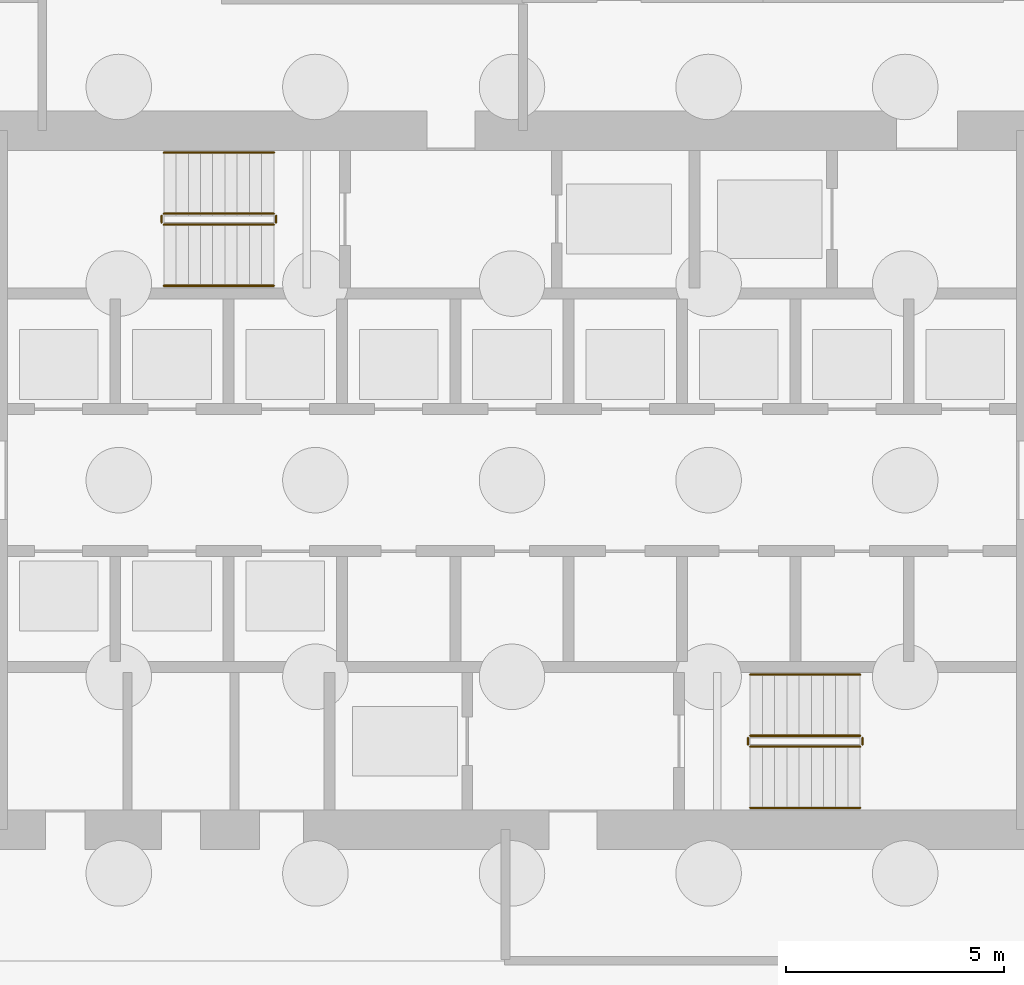
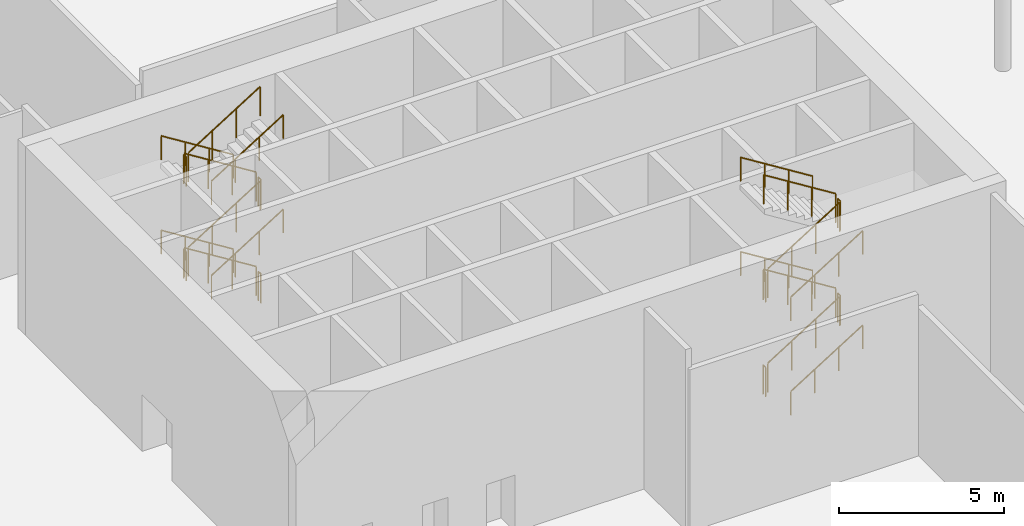
# One storey, part 40 of 41: 24 railings.
"""IFC4 building model written with IfcOpenShell, lengths in metres."""

from ifc_helpers import new_model, si_unit, direction, frame, origin, origin_2d, place, context, subcontext, project, spatial, circle, extrude, material, type_object, element, save


model = new_model("IFC4")

# Units and contexts
model_context = context("Model", 3, precision=1e-05, world=origin(), true_north=direction((0.0, 1.0)))
body_context = subcontext(model_context, "Body", "Model", "MODEL_VIEW")
ifc_project = project(units=[si_unit("LENGTHUNIT", "METRE"), si_unit("AREAUNIT", "SQUARE_METRE"), si_unit("VOLUMEUNIT", "CUBIC_METRE"), si_unit("PLANEANGLEUNIT", "RADIAN"), si_unit("MASSUNIT", "GRAM", prefix="KILO")], contexts=[model_context])

# Site, building, storey
site_placement = place(None, origin())
site = spatial("IfcSite", under=ifc_project, at=site_placement, CompositionType="ELEMENT")
building_placement = place(site_placement, origin())
building = spatial("IfcBuilding", under=site, at=building_placement, Name="Rimbun Link Towers", CompositionType="ELEMENT")
storey_placement = place(building_placement, origin())
storey = spatial("IfcBuildingStorey", under=building, at=storey_placement, Name="L00", CompositionType="ELEMENT", Elevation=0.0)

# Railings
ifc_material_1 = material(Name="Stainless steel grade 316", Category="steel")
railing_type_1 = type_object("IfcRailingType", Name="Stair guard", PredefinedType="GUARDRAIL", material=ifc_material_1)
railing_1_placement = place(storey_placement, frame((26.300048828125, 6.10009765625, 0.175048828125)))
element("IfcRailing", 1, at=railing_1_placement, inside=storey, type_object=railing_type_1, Name="L00 ST3 stair guard 1", PredefinedType="GUARDRAIL", context=body_context, shape_type="SweptSolid", body=[
    extrude(circle(Radius=0.02392578125, at=origin_2d()), frame((0.0, 0.0, 1.076171875), z_axis=(-0.848007534815, 0.0, 0.529984170421), x_axis=(0.0, -1.0, 0.0)), (0.0, 0.0, 1.0), 2.9716796875),
    extrude(circle(Radius=0.02099609375, at=origin_2d()), origin(), (0.0, 0.0, 1.0), 1.052001953125),
    extrude(circle(Radius=0.02099609375, at=origin_2d()), frame((-0.840087890625, 0.0, 0.52490234375)), (0.0, 0.0, 1.0), 1.052001953125),
    extrude(circle(Radius=0.02099609375, at=origin_2d()), frame((-1.679931640625, 0.0, 1.050048828125)), (0.0, 0.0, 1.0), 1.052001953125),
    extrude(circle(Radius=0.02099609375, at=origin_2d()), frame((-2.52001953125, 0.0, 1.574951171875)), (0.0, 0.0, 1.0), 1.052001953125),
])
railing_2_placement = place(storey_placement, frame((23.72998046875, 6.050048828125, 1.75)))
element("IfcRailing", 2, at=railing_2_placement, inside=storey, type_object=railing_type_1, Name="L00 ST3 stair guard 2", PredefinedType="GUARDRAIL", context=body_context, shape_type="SweptSolid", body=[
    extrude(circle(Radius=0.02392578125, at=origin_2d()), frame((0.0, 0.0, 1.076171875), z_axis=(0.0, -1.0, 0.0), x_axis=(1.0, 0.0, 0.0)), (0.0, 0.0, 1.0), 0.150146484375),
    extrude(circle(Radius=0.02099609375, at=origin_2d()), origin(), (0.0, 0.0, 1.0), 1.052001953125),
    extrude(circle(Radius=0.02099609375, at=origin_2d()), frame((0.0, -0.150146484375, 0.0)), (0.0, 0.0, 1.0), 1.052001953125),
])
railing_3_placement = place(storey_placement, frame((23.780029296875, 5.85009765625, 1.925048828125)))
element("IfcRailing", 3, at=railing_3_placement, inside=storey, type_object=railing_type_1, Name="L00 ST3 stair guard 3", PredefinedType="GUARDRAIL", context=body_context, shape_type="SweptSolid", body=[
    extrude(circle(Radius=0.02392578125, at=origin_2d()), frame((0.0, 0.0, 1.076171875), z_axis=(0.848007534815, 0.0, 0.529984170421), x_axis=(0.0, 1.0, 0.0)), (0.0, 0.0, 1.0), 2.9716796875),
    extrude(circle(Radius=0.02099609375, at=origin_2d()), origin(), (0.0, 0.0, 1.0), 1.052001953125),
    extrude(circle(Radius=0.02099609375, at=origin_2d()), frame((0.840087890625, 0.0, 0.52490234375)), (0.0, 0.0, 1.0), 1.052001953125),
    extrude(circle(Radius=0.02099609375, at=origin_2d()), frame((1.679931640625, 0.0, 1.050048828125)), (0.0, 0.0, 1.0), 1.052001953125),
    extrude(circle(Radius=0.02099609375, at=origin_2d()), frame((2.52001953125, 0.0, 1.574951171875)), (0.0, 0.0, 1.0), 1.052001953125),
])
railing_4_placement = place(storey_placement, frame((26.35009765625, 6.050048828125, 3.5)))
element("IfcRailing", 4, at=railing_4_placement, inside=storey, type_object=railing_type_1, Name="L00 ST3 stair guard 4", PredefinedType="GUARDRAIL", context=body_context, shape_type="SweptSolid", body=[
    extrude(circle(Radius=0.02392578125, at=origin_2d()), frame((0.0, 0.0, 1.076171875), z_axis=(0.0, -1.0, 0.0), x_axis=(1.0, 0.0, 0.0)), (0.0, 0.0, 1.0), 0.150146484375),
    extrude(circle(Radius=0.02099609375, at=origin_2d()), origin(), (0.0, 0.0, 1.0), 1.052001953125),
    extrude(circle(Radius=0.02099609375, at=origin_2d()), frame((0.0, -0.150146484375, 0.0)), (0.0, 0.0, 1.0), 1.052001953125),
])
railing_5_placement = place(storey_placement, frame((26.300048828125, 6.10009765625, 3.675048828125)))
element("IfcRailing", 5, at=railing_5_placement, inside=storey, type_object=railing_type_1, Name="L00 ST3 stair guard 5", PredefinedType="GUARDRAIL", context=body_context, shape_type="SweptSolid", body=[
    extrude(circle(Radius=0.02392578125, at=origin_2d()), frame((0.0, 0.0, 1.076171875), z_axis=(-0.848007534815, 0.0, 0.529984170421), x_axis=(0.0, -1.0, 0.0)), (0.0, 0.0, 1.0), 2.9716796875),
    extrude(circle(Radius=0.02099609375, at=origin_2d()), origin(), (0.0, 0.0, 1.0), 1.052001953125),
    extrude(circle(Radius=0.02099609375, at=origin_2d()), frame((-0.840087890625, 0.0, 0.52490234375)), (0.0, 0.0, 1.0), 1.052001953125),
    extrude(circle(Radius=0.02099609375, at=origin_2d()), frame((-1.679931640625, 0.0, 1.050048828125)), (0.0, 0.0, 1.0), 1.052001953125),
    extrude(circle(Radius=0.02099609375, at=origin_2d()), frame((-2.52001953125, 0.0, 1.574951171875)), (0.0, 0.0, 1.0), 1.052001953125),
])
railing_6_placement = place(storey_placement, frame((23.72998046875, 6.050048828125, 5.25)))
element("IfcRailing", 6, at=railing_6_placement, inside=storey, type_object=railing_type_1, Name="L00 ST3 stair guard 6", PredefinedType="GUARDRAIL", context=body_context, shape_type="SweptSolid", body=[
    extrude(circle(Radius=0.02392578125, at=origin_2d()), frame((0.0, 0.0, 1.076171875), z_axis=(0.0, -1.0, 0.0), x_axis=(1.0, 0.0, 0.0)), (0.0, 0.0, 1.0), 0.150146484375),
    extrude(circle(Radius=0.02099609375, at=origin_2d()), origin(), (0.0, 0.0, 1.0), 1.052001953125),
    extrude(circle(Radius=0.02099609375, at=origin_2d()), frame((0.0, -0.150146484375, 0.0)), (0.0, 0.0, 1.0), 1.052001953125),
])
railing_7_placement = place(storey_placement, frame((23.780029296875, 5.85009765625, 5.425048828125)))
element("IfcRailing", 7, at=railing_7_placement, inside=storey, type_object=railing_type_1, Name="L00 ST3 stair guard 7", PredefinedType="GUARDRAIL", context=body_context, shape_type="SweptSolid", body=[
    extrude(circle(Radius=0.02392578125, at=origin_2d()), frame((0.0, 0.0, 1.076171875), z_axis=(0.848007534815, 0.0, 0.529984170421), x_axis=(0.0, 1.0, 0.0)), (0.0, 0.0, 1.0), 2.9716796875),
    extrude(circle(Radius=0.02099609375, at=origin_2d()), origin(), (0.0, 0.0, 1.0), 1.052001953125),
    extrude(circle(Radius=0.02099609375, at=origin_2d()), frame((0.840087890625, 0.0, 0.52490234375)), (0.0, 0.0, 1.0), 1.052001953125),
    extrude(circle(Radius=0.02099609375, at=origin_2d()), frame((1.679931640625, 0.0, 1.050048828125)), (0.0, 0.0, 1.0), 1.052001953125),
    extrude(circle(Radius=0.02099609375, at=origin_2d()), frame((2.52001953125, 0.0, 1.574951171875)), (0.0, 0.0, 1.0), 1.052001953125),
])
railing_8_placement = place(storey_placement, frame((26.35009765625, 6.050048828125, 0.0)))
element("IfcRailing", 8, at=railing_8_placement, inside=storey, type_object=railing_type_1, Name="L00 ST3 stair guard 8", PredefinedType="GUARDRAIL", context=body_context, shape_type="SweptSolid", body=[
    extrude(circle(Radius=0.02392578125, at=origin_2d()), frame((0.0, 0.0, 1.076171875), z_axis=(0.0, -1.0, 0.0), x_axis=(1.0, 0.0, 0.0)), (0.0, 0.0, 1.0), 0.150146484375),
    extrude(circle(Radius=0.02099609375, at=origin_2d()), origin(), (0.0, 0.0, 1.0), 1.052001953125),
    extrude(circle(Radius=0.02099609375, at=origin_2d()), frame((0.0, -0.150146484375, 0.0)), (0.0, 0.0, 1.0), 1.052001953125),
])
railing_9_placement = place(storey_placement, frame((37.199951171875, -6.10009765625, 0.175048828125)))
element("IfcRailing", 9, at=railing_9_placement, inside=storey, type_object=railing_type_1, Name="L00 ST4 stair guard 1", PredefinedType="GUARDRAIL", context=body_context, shape_type="SweptSolid", body=[
    extrude(circle(Radius=0.02392578125, at=origin_2d()), frame((0.0, 0.0, 1.076171875), z_axis=(0.848007534815, 0.0, 0.529984170421), x_axis=(0.0, 1.0, 0.0)), (0.0, 0.0, 1.0), 2.9716796875),
    extrude(circle(Radius=0.02099609375, at=origin_2d()), origin(), (0.0, 0.0, 1.0), 1.052001953125),
    extrude(circle(Radius=0.02099609375, at=origin_2d()), frame((0.840087890625, 0.0, 0.52490234375)), (0.0, 0.0, 1.0), 1.052001953125),
    extrude(circle(Radius=0.02099609375, at=origin_2d()), frame((1.679931640625, 0.0, 1.050048828125)), (0.0, 0.0, 1.0), 1.052001953125),
    extrude(circle(Radius=0.02099609375, at=origin_2d()), frame((2.52001953125, 0.0, 1.574951171875)), (0.0, 0.0, 1.0), 1.052001953125),
])
railing_10_placement = place(storey_placement, frame((39.77001953125, -6.050048828125, 1.75)))
element("IfcRailing", 10, at=railing_10_placement, inside=storey, type_object=railing_type_1, Name="L00 ST4 stair guard 2", PredefinedType="GUARDRAIL", context=body_context, shape_type="SweptSolid", body=[
    extrude(circle(Radius=0.02392578125, at=origin_2d()), frame((0.0, 0.0, 1.076171875), z_axis=(0.0, 1.0, 0.0), x_axis=(-1.0, 0.0, 0.0)), (0.0, 0.0, 1.0), 0.150146484375),
    extrude(circle(Radius=0.02099609375, at=origin_2d()), origin(), (0.0, 0.0, 1.0), 1.052001953125),
    extrude(circle(Radius=0.02099609375, at=origin_2d()), frame((0.0, 0.150146484375, 0.0)), (0.0, 0.0, 1.0), 1.052001953125),
])
railing_11_placement = place(storey_placement, frame((39.719970703125, -5.85009765625, 1.925048828125)))
element("IfcRailing", 11, at=railing_11_placement, inside=storey, type_object=railing_type_1, Name="L00 ST4 stair guard 3", PredefinedType="GUARDRAIL", context=body_context, shape_type="SweptSolid", body=[
    extrude(circle(Radius=0.02392578125, at=origin_2d()), frame((0.0, 0.0, 1.076171875), z_axis=(-0.848007534815, 0.0, 0.529984170421), x_axis=(0.0, -1.0, 0.0)), (0.0, 0.0, 1.0), 2.9716796875),
    extrude(circle(Radius=0.02099609375, at=origin_2d()), origin(), (0.0, 0.0, 1.0), 1.052001953125),
    extrude(circle(Radius=0.02099609375, at=origin_2d()), frame((-0.840087890625, 0.0, 0.52490234375)), (0.0, 0.0, 1.0), 1.052001953125),
    extrude(circle(Radius=0.02099609375, at=origin_2d()), frame((-1.679931640625, 0.0, 1.050048828125)), (0.0, 0.0, 1.0), 1.052001953125),
    extrude(circle(Radius=0.02099609375, at=origin_2d()), frame((-2.52001953125, 0.0, 1.574951171875)), (0.0, 0.0, 1.0), 1.052001953125),
])
railing_12_placement = place(storey_placement, frame((37.14990234375, -6.050048828125, 3.5)))
element("IfcRailing", 12, at=railing_12_placement, inside=storey, type_object=railing_type_1, Name="L00 ST4 stair guard 4", PredefinedType="GUARDRAIL", context=body_context, shape_type="SweptSolid", body=[
    extrude(circle(Radius=0.02392578125, at=origin_2d()), frame((0.0, 0.0, 1.076171875), z_axis=(0.0, 1.0, 0.0), x_axis=(-1.0, 0.0, 0.0)), (0.0, 0.0, 1.0), 0.150146484375),
    extrude(circle(Radius=0.02099609375, at=origin_2d()), origin(), (0.0, 0.0, 1.0), 1.052001953125),
    extrude(circle(Radius=0.02099609375, at=origin_2d()), frame((0.0, 0.150146484375, 0.0)), (0.0, 0.0, 1.0), 1.052001953125),
])
railing_13_placement = place(storey_placement, frame((37.199951171875, -6.10009765625, 3.675048828125)))
element("IfcRailing", 13, at=railing_13_placement, inside=storey, type_object=railing_type_1, Name="L00 ST4 stair guard 5", PredefinedType="GUARDRAIL", context=body_context, shape_type="SweptSolid", body=[
    extrude(circle(Radius=0.02392578125, at=origin_2d()), frame((0.0, 0.0, 1.076171875), z_axis=(0.848007534815, 0.0, 0.529984170421), x_axis=(0.0, 1.0, 0.0)), (0.0, 0.0, 1.0), 2.9716796875),
    extrude(circle(Radius=0.02099609375, at=origin_2d()), origin(), (0.0, 0.0, 1.0), 1.052001953125),
    extrude(circle(Radius=0.02099609375, at=origin_2d()), frame((0.840087890625, 0.0, 0.52490234375)), (0.0, 0.0, 1.0), 1.052001953125),
    extrude(circle(Radius=0.02099609375, at=origin_2d()), frame((1.679931640625, 0.0, 1.050048828125)), (0.0, 0.0, 1.0), 1.052001953125),
    extrude(circle(Radius=0.02099609375, at=origin_2d()), frame((2.52001953125, 0.0, 1.574951171875)), (0.0, 0.0, 1.0), 1.052001953125),
])
railing_14_placement = place(storey_placement, frame((39.77001953125, -6.050048828125, 5.25)))
element("IfcRailing", 14, at=railing_14_placement, inside=storey, type_object=railing_type_1, Name="L00 ST4 stair guard 6", PredefinedType="GUARDRAIL", context=body_context, shape_type="SweptSolid", body=[
    extrude(circle(Radius=0.02392578125, at=origin_2d()), frame((0.0, 0.0, 1.076171875), z_axis=(0.0, 1.0, 0.0), x_axis=(-1.0, 0.0, 0.0)), (0.0, 0.0, 1.0), 0.150146484375),
    extrude(circle(Radius=0.02099609375, at=origin_2d()), origin(), (0.0, 0.0, 1.0), 1.052001953125),
    extrude(circle(Radius=0.02099609375, at=origin_2d()), frame((0.0, 0.150146484375, 0.0)), (0.0, 0.0, 1.0), 1.052001953125),
])
railing_15_placement = place(storey_placement, frame((39.719970703125, -5.85009765625, 5.425048828125)))
element("IfcRailing", 15, at=railing_15_placement, inside=storey, type_object=railing_type_1, Name="L00 ST4 stair guard 7", PredefinedType="GUARDRAIL", context=body_context, shape_type="SweptSolid", body=[
    extrude(circle(Radius=0.02392578125, at=origin_2d()), frame((0.0, 0.0, 1.076171875), z_axis=(-0.848007534815, 0.0, 0.529984170421), x_axis=(0.0, -1.0, 0.0)), (0.0, 0.0, 1.0), 2.9716796875),
    extrude(circle(Radius=0.02099609375, at=origin_2d()), origin(), (0.0, 0.0, 1.0), 1.052001953125),
    extrude(circle(Radius=0.02099609375, at=origin_2d()), frame((-0.840087890625, 0.0, 0.52490234375)), (0.0, 0.0, 1.0), 1.052001953125),
    extrude(circle(Radius=0.02099609375, at=origin_2d()), frame((-1.679931640625, 0.0, 1.050048828125)), (0.0, 0.0, 1.0), 1.052001953125),
    extrude(circle(Radius=0.02099609375, at=origin_2d()), frame((-2.52001953125, 0.0, 1.574951171875)), (0.0, 0.0, 1.0), 1.052001953125),
])
railing_16_placement = place(storey_placement, frame((37.14990234375, -6.050048828125, 0.0)))
element("IfcRailing", 16, at=railing_16_placement, inside=storey, type_object=railing_type_1, Name="L00 ST4 stair guard 8", PredefinedType="GUARDRAIL", context=body_context, shape_type="SweptSolid", body=[
    extrude(circle(Radius=0.02392578125, at=origin_2d()), frame((0.0, 0.0, 1.076171875), z_axis=(0.0, 1.0, 0.0), x_axis=(-1.0, 0.0, 0.0)), (0.0, 0.0, 1.0), 0.150146484375),
    extrude(circle(Radius=0.02099609375, at=origin_2d()), origin(), (0.0, 0.0, 1.0), 1.052001953125),
    extrude(circle(Radius=0.02099609375, at=origin_2d()), frame((0.0, 0.150146484375, 0.0)), (0.0, 0.0, 1.0), 1.052001953125),
])
ifc_material_2 = material(Name="Stainless steel grade 316", Category="steel")
railing_type_2 = type_object("IfcRailingType", Name="Stair handrail", PredefinedType="HANDRAIL", material=ifc_material_2)
railing_17_placement = place(storey_placement, frame((26.300048828125, 7.5, 0.175048828125)))
element("IfcRailing", 17, at=railing_17_placement, inside=storey, type_object=railing_type_2, Name="L00 ST3 stair handrail 1", PredefinedType="HANDRAIL", context=body_context, shape_type="SweptSolid", body=[
    extrude(circle(Radius=0.02392578125, at=origin_2d()), frame((0.0, 0.0, 0.8759765625), z_axis=(-0.848007534815, 0.0, 0.529984170421), x_axis=(0.0, -1.0, 0.0)), (0.0, 0.0, 1.0), 2.9716796875),
    extrude(circle(Radius=0.02099609375, at=origin_2d()), origin(), (0.0, 0.0, 1.0), 0.851806640625),
    extrude(circle(Radius=0.02099609375, at=origin_2d()), frame((-0.840087890625, 0.0, 0.52490234375)), (0.0, 0.0, 1.0), 0.851806640625),
    extrude(circle(Radius=0.02099609375, at=origin_2d()), frame((-1.679931640625, 0.0, 1.050048828125)), (0.0, 0.0, 1.0), 0.851806640625),
    extrude(circle(Radius=0.02099609375, at=origin_2d()), frame((-2.52001953125, 0.0, 1.574951171875)), (0.0, 0.0, 1.0), 0.851806640625),
])
railing_18_placement = place(storey_placement, frame((23.780029296875, 4.449951171875, 1.925048828125)))
element("IfcRailing", 18, at=railing_18_placement, inside=storey, type_object=railing_type_2, Name="L00 ST3 stair handrail 2", PredefinedType="HANDRAIL", context=body_context, shape_type="SweptSolid", body=[
    extrude(circle(Radius=0.02392578125, at=origin_2d()), frame((0.0, 0.0, 0.8759765625), z_axis=(0.848007534815, 0.0, 0.529984170421), x_axis=(0.0, 1.0, 0.0)), (0.0, 0.0, 1.0), 2.9716796875),
    extrude(circle(Radius=0.02099609375, at=origin_2d()), origin(), (0.0, 0.0, 1.0), 0.851806640625),
    extrude(circle(Radius=0.02099609375, at=origin_2d()), frame((0.840087890625, 0.0, 0.52490234375)), (0.0, 0.0, 1.0), 0.851806640625),
    extrude(circle(Radius=0.02099609375, at=origin_2d()), frame((1.679931640625, 0.0, 1.050048828125)), (0.0, 0.0, 1.0), 0.851806640625),
    extrude(circle(Radius=0.02099609375, at=origin_2d()), frame((2.52001953125, 0.0, 1.574951171875)), (0.0, 0.0, 1.0), 0.851806640625),
])
railing_19_placement = place(storey_placement, frame((26.300048828125, 7.5, 3.675048828125)))
element("IfcRailing", 19, at=railing_19_placement, inside=storey, type_object=railing_type_2, Name="L00 ST3 stair handrail 3", PredefinedType="HANDRAIL", context=body_context, shape_type="SweptSolid", body=[
    extrude(circle(Radius=0.02392578125, at=origin_2d()), frame((0.0, 0.0, 0.8759765625), z_axis=(-0.848007534815, 0.0, 0.529984170421), x_axis=(0.0, -1.0, 0.0)), (0.0, 0.0, 1.0), 2.9716796875),
    extrude(circle(Radius=0.02099609375, at=origin_2d()), origin(), (0.0, 0.0, 1.0), 0.851806640625),
    extrude(circle(Radius=0.02099609375, at=origin_2d()), frame((-0.840087890625, 0.0, 0.52490234375)), (0.0, 0.0, 1.0), 0.851806640625),
    extrude(circle(Radius=0.02099609375, at=origin_2d()), frame((-1.679931640625, 0.0, 1.050048828125)), (0.0, 0.0, 1.0), 0.851806640625),
    extrude(circle(Radius=0.02099609375, at=origin_2d()), frame((-2.52001953125, 0.0, 1.574951171875)), (0.0, 0.0, 1.0), 0.851806640625),
])
for number, where, name in (
    (20, (23.780029296875, 4.449951171875, 5.425048828125), "L00 ST3 stair handrail 4"),
    (21, (37.199951171875, -7.5, 0.175048828125), "L00 ST4 stair handrail 1"),
):
    element("IfcRailing", number, at=place(storey_placement, frame(where)), inside=storey, type_object=railing_type_2, Name=name, PredefinedType="HANDRAIL", context=body_context, shape_type="SweptSolid", body=[
        extrude(circle(Radius=0.02392578125, at=origin_2d()), frame((0.0, 0.0, 0.8759765625), z_axis=(0.848007534815, 0.0, 0.529984170421), x_axis=(0.0, 1.0, 0.0)), (0.0, 0.0, 1.0), 2.9716796875),
        extrude(circle(Radius=0.02099609375, at=origin_2d()), origin(), (0.0, 0.0, 1.0), 0.851806640625),
        extrude(circle(Radius=0.02099609375, at=origin_2d()), frame((0.840087890625, 0.0, 0.52490234375)), (0.0, 0.0, 1.0), 0.851806640625),
        extrude(circle(Radius=0.02099609375, at=origin_2d()), frame((1.679931640625, 0.0, 1.050048828125)), (0.0, 0.0, 1.0), 0.851806640625),
        extrude(circle(Radius=0.02099609375, at=origin_2d()), frame((2.52001953125, 0.0, 1.574951171875)), (0.0, 0.0, 1.0), 0.851806640625),
    ])
railing_20_placement = place(storey_placement, frame((39.719970703125, -4.449951171875, 1.925048828125)))
element("IfcRailing", 22, at=railing_20_placement, inside=storey, type_object=railing_type_2, Name="L00 ST4 stair handrail 2", PredefinedType="HANDRAIL", context=body_context, shape_type="SweptSolid", body=[
    extrude(circle(Radius=0.02392578125, at=origin_2d()), frame((0.0, 0.0, 0.8759765625), z_axis=(-0.848007534815, 0.0, 0.529984170421), x_axis=(0.0, -1.0, 0.0)), (0.0, 0.0, 1.0), 2.9716796875),
    extrude(circle(Radius=0.02099609375, at=origin_2d()), origin(), (0.0, 0.0, 1.0), 0.851806640625),
    extrude(circle(Radius=0.02099609375, at=origin_2d()), frame((-0.840087890625, 0.0, 0.52490234375)), (0.0, 0.0, 1.0), 0.851806640625),
    extrude(circle(Radius=0.02099609375, at=origin_2d()), frame((-1.679931640625, 0.0, 1.050048828125)), (0.0, 0.0, 1.0), 0.851806640625),
    extrude(circle(Radius=0.02099609375, at=origin_2d()), frame((-2.52001953125, 0.0, 1.574951171875)), (0.0, 0.0, 1.0), 0.851806640625),
])
railing_21_placement = place(storey_placement, frame((37.199951171875, -7.5, 3.675048828125)))
element("IfcRailing", 23, at=railing_21_placement, inside=storey, type_object=railing_type_2, Name="L00 ST4 stair handrail 3", PredefinedType="HANDRAIL", context=body_context, shape_type="SweptSolid", body=[
    extrude(circle(Radius=0.02392578125, at=origin_2d()), frame((0.0, 0.0, 0.8759765625), z_axis=(0.848007534815, 0.0, 0.529984170421), x_axis=(0.0, 1.0, 0.0)), (0.0, 0.0, 1.0), 2.9716796875),
    extrude(circle(Radius=0.02099609375, at=origin_2d()), origin(), (0.0, 0.0, 1.0), 0.851806640625),
    extrude(circle(Radius=0.02099609375, at=origin_2d()), frame((0.840087890625, 0.0, 0.52490234375)), (0.0, 0.0, 1.0), 0.851806640625),
    extrude(circle(Radius=0.02099609375, at=origin_2d()), frame((1.679931640625, 0.0, 1.050048828125)), (0.0, 0.0, 1.0), 0.851806640625),
    extrude(circle(Radius=0.02099609375, at=origin_2d()), frame((2.52001953125, 0.0, 1.574951171875)), (0.0, 0.0, 1.0), 0.851806640625),
])
railing_22_placement = place(storey_placement, frame((39.719970703125, -4.449951171875, 5.425048828125)))
element("IfcRailing", 24, at=railing_22_placement, inside=storey, type_object=railing_type_2, Name="L00 ST4 stair handrail 4", PredefinedType="HANDRAIL", context=body_context, shape_type="SweptSolid", body=[
    extrude(circle(Radius=0.02392578125, at=origin_2d()), frame((0.0, 0.0, 0.8759765625), z_axis=(-0.848007534815, 0.0, 0.529984170421), x_axis=(0.0, -1.0, 0.0)), (0.0, 0.0, 1.0), 2.9716796875),
    extrude(circle(Radius=0.02099609375, at=origin_2d()), origin(), (0.0, 0.0, 1.0), 0.851806640625),
    extrude(circle(Radius=0.02099609375, at=origin_2d()), frame((-0.840087890625, 0.0, 0.52490234375)), (0.0, 0.0, 1.0), 0.851806640625),
    extrude(circle(Radius=0.02099609375, at=origin_2d()), frame((-1.679931640625, 0.0, 1.050048828125)), (0.0, 0.0, 1.0), 0.851806640625),
    extrude(circle(Radius=0.02099609375, at=origin_2d()), frame((-2.52001953125, 0.0, 1.574951171875)), (0.0, 0.0, 1.0), 0.851806640625),
])

save(model, "model.ifc")
